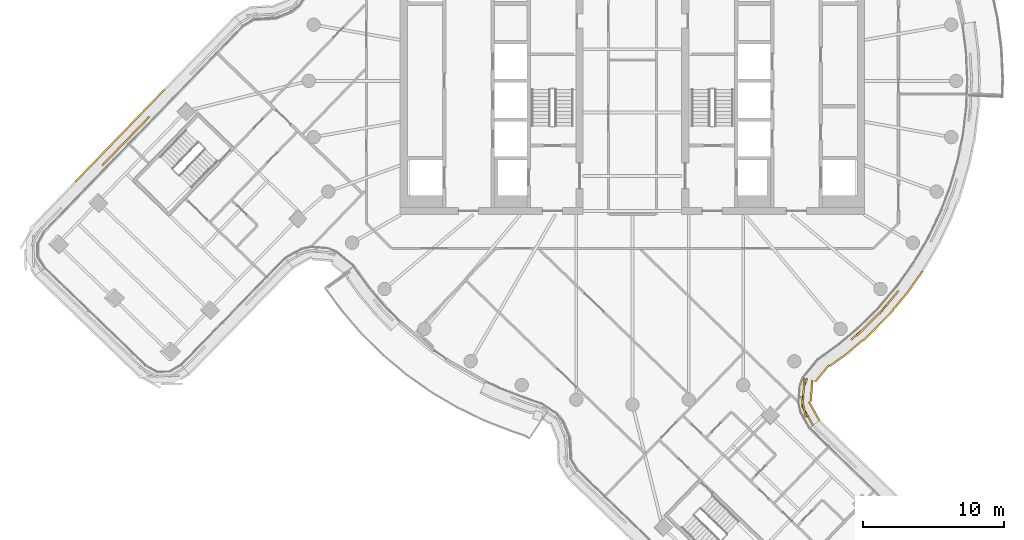
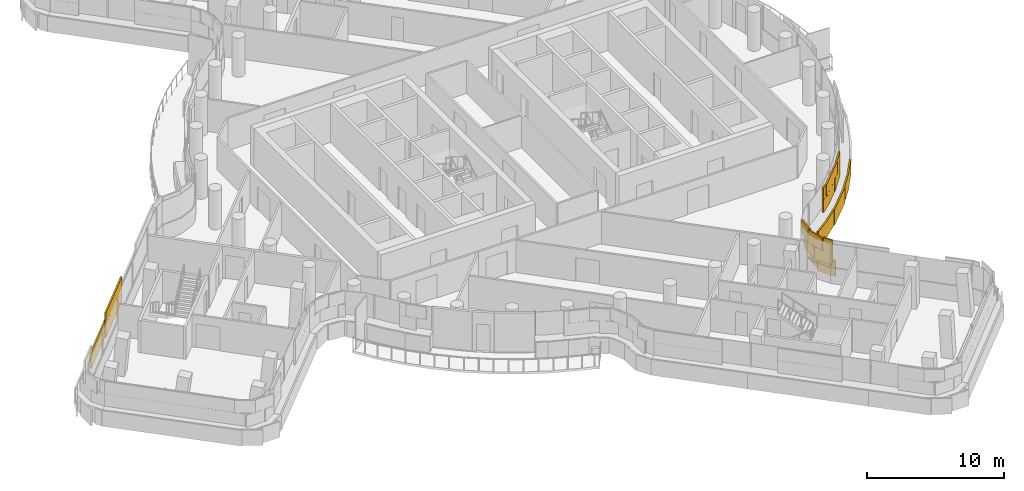
# One storey, part 26 of 31: 2 coverings.
"""IFC4 building model written with IfcOpenShell, lengths in metres."""

from ifc_helpers import new_model, si_unit, direction, frame, origin, origin_2d, place, context, subcontext, project, spatial, rectangle, extrude, material, layer, layer_set, type_object, element, save


model = new_model("IFC4")

# Units and contexts
model_context = context("Model", 3, precision=1e-05, world=origin(), true_north=direction((0.0, 1.0)))
body_context = subcontext(model_context, "Body", "Model", "MODEL_VIEW")
ifc_project = project(units=[si_unit("LENGTHUNIT", "METRE"), si_unit("AREAUNIT", "SQUARE_METRE"), si_unit("VOLUMEUNIT", "CUBIC_METRE"), si_unit("PLANEANGLEUNIT", "RADIAN"), si_unit("MASSUNIT", "GRAM", prefix="KILO")], contexts=[model_context])

# Site, building, storey
site_placement = place(None, origin())
site = spatial("IfcSite", under=ifc_project, at=site_placement, CompositionType="ELEMENT")
building_placement = place(site_placement, origin())
building = spatial("IfcBuilding", under=site, at=building_placement, Name="Tamarind Cross Interchange Tower", CompositionType="ELEMENT")
storey_placement = place(building_placement, frame((0.0, 0.0, 200.5)))
storey = spatial("IfcBuildingStorey", under=building, at=storey_placement, Name="L50", CompositionType="ELEMENT", Elevation=200.5)

# Coverings
ifc_material = material(Name="Terracotta", Category="masonry")
ifc_layer = layer(ifc_material, 0.1201171875)
ifc_layer_set = layer_set([ifc_layer], Name="Terracotta")
covering_type = type_object("IfcCoveringType", Name="Terracotta baguette screen unit", PredefinedType="MOLDING", material=ifc_layer_set)
covering_1_placement = place(storey_placement, origin())
element("IfcCovering", 1, at=covering_1_placement, inside=storey, type_object=covering_type, Name="SCR-L50-06-00", PredefinedType="MOLDING", context=body_context, shape_type="SweptSolid", body=[
    extrude(rectangle(XDim=1.510009765625, YDim=0.1201171875, at=origin_2d()), frame((12.459716796875, -23.82421875, 1.40380859375), z_axis=(0.0, 0.0, 1.0), x_axis=(-0.488322531759, 0.872663225406, 0.0)), (0.0, 0.0, 1.0), 1.092041015625),
    extrude(rectangle(XDim=1.52001953125, YDim=0.1201171875, at=origin_2d()), frame((12.127197265625, -22.4033203125, 1.40380859375), z_axis=(0.0, 0.0, 1.0), x_axis=(0.074130109387, 0.99724857828, 0.0)), (0.0, 0.0, 1.0), 1.092041015625),
    extrude(rectangle(XDim=0.551513671875, YDim=0.1201171875, at=origin_2d()), frame((12.304931640625, -21.408203125, 1.40380859375), z_axis=(0.0, 0.0, 1.0), x_axis=(0.358238508431, 0.93363010399, 0.0)), (0.0, 0.0, 1.0), 1.092041015625),
    extrude(rectangle(XDim=1.2685546875, YDim=0.1201171875, at=origin_2d()), frame((16.010009765625, -17.97412109375, 1.40380859375), z_axis=(0.0, 0.0, 1.0), x_axis=(0.760295606781, 0.64957723968, 0.0)), (0.0, 0.0, 1.0), 1.092041015625),
    extrude(rectangle(XDim=1.52001953125, YDim=0.1201171875, at=origin_2d()), frame((17.00927734375, -17.02490234375, 1.40380859375), z_axis=(0.0, 0.0, 1.0), x_axis=(0.704057148523, 0.710143317658, 0.0)), (0.0, 0.0, 1.0), 1.092041015625),
    extrude(rectangle(XDim=1.52001953125, YDim=0.1201171875, at=origin_2d()), frame((18.04150390625, -15.93798828125, 1.40380859375), z_axis=(0.0, 0.0, 1.0), x_axis=(0.643009266048, 0.765858396687, 0.0)), (0.0, 0.0, 1.0), 1.092041015625),
    extrude(rectangle(XDim=0.5849609375, YDim=0.1201171875, at=origin_2d()), frame((18.70849609375, -15.1435546875, 1.40380859375), z_axis=(0.0, 0.0, 1.0), x_axis=(0.643009266048, 0.765858396687, 0.0)), (0.0, 0.0, 1.0), 1.092041015625),
    extrude(rectangle(XDim=0.760009765625, YDim=0.1201171875, at=origin_2d()), frame((12.642822265625, -24.1513671875, 2.50390625), z_axis=(0.0, 0.0, 1.0), x_axis=(-0.488322531759, 0.872663225406, 0.0)), (0.0, 0.0, 1.0), 1.092041015625),
    extrude(rectangle(XDim=1.52001953125, YDim=0.1201171875, at=origin_2d()), frame((12.158447265625, -23.14501953125, 2.50390625), z_axis=(0.0, 0.0, 1.0), x_axis=(-0.216261920423, 0.976335383859, 0.0)), (0.0, 0.0, 1.0), 1.092041015625),
    extrude(rectangle(XDim=1.301513671875, YDim=0.1201171875, at=origin_2d()), frame((12.175048828125, -21.75927734375, 2.50390625), z_axis=(0.0, 0.0, 1.0), x_axis=(0.074130109387, 0.99724857828, 0.0)), (0.0, 0.0, 1.0), 1.092041015625),
    extrude(rectangle(XDim=0.5185546875, YDim=0.1201171875, at=origin_2d()), frame((15.724853515625, -18.2177734375, 2.50390625), z_axis=(0.0, 0.0, 1.0), x_axis=(0.760295606781, 0.64957723968, 0.0)), (0.0, 0.0, 1.0), 1.092041015625),
    extrude(rectangle(XDim=1.52001953125, YDim=0.1201171875, at=origin_2d()), frame((16.481201171875, -17.5576171875, 2.50390625), z_axis=(0.0, 0.0, 1.0), x_axis=(0.704057148523, 0.710143317658, 0.0)), (0.0, 0.0, 1.0), 1.092041015625),
    extrude(rectangle(XDim=1.52001953125, YDim=0.1201171875, at=origin_2d()), frame((17.537109375, -16.4921875, 2.50390625), z_axis=(0.0, 0.0, 1.0), x_axis=(0.704057148523, 0.710143317658, 0.0)), (0.0, 0.0, 1.0), 1.092041015625),
    extrude(rectangle(XDim=1.3349609375, YDim=0.1201171875, at=origin_2d()), frame((18.46728515625, -15.4306640625, 2.50390625), z_axis=(0.0, 0.0, 1.0), x_axis=(0.643009266048, 0.765858396687, 0.0)), (0.0, 0.0, 1.0), 1.092041015625),
    extrude(rectangle(XDim=1.510009765625, YDim=0.1201171875, at=origin_2d()), frame((12.91748046875, -23.466796875, 0.00390625), z_axis=(0.0, 0.0, 1.0), x_axis=(-0.488322531759, 0.872663225406, 0.0)), (0.0, 0.0, 1.0), 1.39208984375),
    extrude(rectangle(XDim=1.52001953125, YDim=0.1201171875, at=origin_2d()), frame((12.73095703125, -22.02587890625, 0.00390625), z_axis=(0.0, 0.0, 1.0), x_axis=(0.074130109387, 0.99724857828, 0.0)), (0.0, 0.0, 1.0), 1.39208984375),
    extrude(rectangle(XDim=1.52001953125, YDim=0.1201171875, at=origin_2d()), frame((13.494384765625, -20.7724609375, 0.00390625), z_axis=(0.0, 0.0, 1.0), x_axis=(0.63293370193, 0.774205999047, 0.0)), (0.0, 0.0, 1.0), 1.39208984375),
    extrude(rectangle(XDim=1.52001953125, YDim=0.1201171875, at=origin_2d()), frame((14.640625, -19.8203125, 0.00390625), z_axis=(0.0, 0.0, 1.0), x_axis=(0.811217394298, 0.584744678632, 0.0)), (0.0, 0.0, 1.0), 1.39208984375),
    extrude(rectangle(XDim=1.52001953125, YDim=0.1201171875, at=origin_2d()), frame((15.818115234375, -18.89306640625, 0.00390625), z_axis=(0.0, 0.0, 1.0), x_axis=(0.760295606781, 0.64957723968, 0.0)), (0.0, 0.0, 1.0), 1.39208984375),
    extrude(rectangle(XDim=1.52001953125, YDim=0.1201171875, at=origin_2d()), frame((16.9453125, -17.904541015625, 0.00390625), z_axis=(0.0, 0.0, 1.0), x_axis=(0.704057148523, 0.710143317658, 0.0)), (0.0, 0.0, 1.0), 1.39208984375),
    extrude(rectangle(XDim=1.52001953125, YDim=0.1201171875, at=origin_2d()), frame((18.00146484375, -16.83935546875, 0.00390625), z_axis=(0.0, 0.0, 1.0), x_axis=(0.704057148523, 0.710143317658, 0.0)), (0.0, 0.0, 1.0), 1.39208984375),
    extrude(rectangle(XDim=1.52001953125, YDim=0.1201171875, at=origin_2d()), frame((18.984619140625, -15.70751953125, 0.00390625), z_axis=(0.0, 0.0, 1.0), x_axis=(0.643009266048, 0.765858396687, 0.0)), (0.0, 0.0, 1.0), 1.39208984375),
    extrude(rectangle(XDim=1.52001953125, YDim=0.1201171875, at=origin_2d()), frame((19.906005859375, -14.525390625, 0.00390625), z_axis=(0.0, 0.0, 1.0), x_axis=(0.577568978284, 0.816341886298, 0.0)), (0.0, 0.0, 1.0), 1.39208984375),
    extrude(rectangle(XDim=0.46923828125, YDim=0.1201171875, at=origin_2d()), frame((20.46875, -13.729736328125, 0.00390625), z_axis=(0.0, 0.0, 1.0), x_axis=(0.577568978284, 0.816341886298, 0.0)), (0.0, 0.0, 1.0), 1.39208984375),
])
covering_2_placement = place(storey_placement, origin())
element("IfcCovering", 2, at=covering_2_placement, inside=storey, type_object=covering_type, Name="SCR-L50-11-01", PredefinedType="MOLDING", context=body_context, shape_type="SweptSolid", body=[
    extrude(rectangle(XDim=1.215087890625, YDim=0.1201171875, at=origin_2d()), frame((-34.742431640625, -2.980712890625, 1.40380859375), z_axis=(0.0, 0.0, 1.0), x_axis=(-0.695019862308, -0.718990536097, 0.0)), (0.0, 0.0, 1.0), 1.092041015625),
    extrude(rectangle(XDim=1.52001953125, YDim=0.1201171875, at=origin_2d()), frame((-35.682373046875, -3.953125, 1.40380859375), z_axis=(0.0, 0.0, 1.0), x_axis=(-0.695019862308, -0.718990536097, 0.0)), (0.0, 0.0, 1.0), 1.092041015625),
    extrude(rectangle(XDim=1.52001953125, YDim=0.1201171875, at=origin_2d()), frame((-36.72509765625, -5.03173828125, 1.40380859375), z_axis=(0.0, 0.0, 1.0), x_axis=(-0.695019862308, -0.718990536097, 0.0)), (0.0, 0.0, 1.0), 1.092041015625),
    extrude(rectangle(XDim=0.615234375, YDim=0.1201171875, at=origin_2d()), frame((-37.45654296875, -5.78857421875, 1.40380859375), z_axis=(0.0, 0.0, 1.0), x_axis=(-0.695019862308, -0.718990536097, 0.0)), (0.0, 0.0, 1.0), 1.092041015625),
    extrude(rectangle(XDim=0.465087890625, YDim=0.1201171875, at=origin_2d()), frame((-34.481689453125, -2.711181640625, 2.50390625), z_axis=(0.0, 0.0, 1.0), x_axis=(-0.695019862308, -0.718990536097, 0.0)), (0.0, 0.0, 1.0), 1.092041015625),
    extrude(rectangle(XDim=1.52001953125, YDim=0.1201171875, at=origin_2d()), frame((-35.1611328125, -3.4140625, 2.50390625), z_axis=(0.0, 0.0, 1.0), x_axis=(-0.695019862308, -0.718990536097, 0.0)), (0.0, 0.0, 1.0), 1.092041015625),
    extrude(rectangle(XDim=1.52001953125, YDim=0.1201171875, at=origin_2d()), frame((-36.20361328125, -4.492431640625, 2.50390625), z_axis=(0.0, 0.0, 1.0), x_axis=(-0.695019862308, -0.718990536097, 0.0)), (0.0, 0.0, 1.0), 1.092041015625),
    extrude(rectangle(XDim=1.365234375, YDim=0.1201171875, at=origin_2d()), frame((-37.19580078125, -5.518798828125, 2.50390625), z_axis=(0.0, 0.0, 1.0), x_axis=(-0.695019862308, -0.718990536097, 0.0)), (0.0, 0.0, 1.0), 1.092041015625),
    extrude(rectangle(XDim=0.2626953125, YDim=0.1201171875, at=origin_2d()), frame((-33.353759765625, -0.71826171875, 0.00390625), z_axis=(0.0, 0.0, 1.0), x_axis=(-0.695019862308, -0.718990536097, 0.0)), (0.0, 0.0, 1.0), 1.39208984375),
    extrude(rectangle(XDim=1.52001953125, YDim=0.1201171875, at=origin_2d()), frame((-33.95947265625, -1.344970703125, 0.00390625), z_axis=(0.0, 0.0, 1.0), x_axis=(-0.695019862308, -0.718990536097, 0.0)), (0.0, 0.0, 1.0), 1.39208984375),
    extrude(rectangle(XDim=1.52001953125, YDim=0.1201171875, at=origin_2d()), frame((-35.001953125, -2.42333984375, 0.00390625), z_axis=(0.0, 0.0, 1.0), x_axis=(-0.695019862308, -0.718990536097, 0.0)), (0.0, 0.0, 1.0), 1.39208984375),
    extrude(rectangle(XDim=1.52001953125, YDim=0.1201171875, at=origin_2d()), frame((-36.04443359375, -3.501708984375, 0.00390625), z_axis=(0.0, 0.0, 1.0), x_axis=(-0.695019862308, -0.718990536097, 0.0)), (0.0, 0.0, 1.0), 1.39208984375),
    extrude(rectangle(XDim=1.52001953125, YDim=0.1201171875, at=origin_2d()), frame((-37.0869140625, -4.580322265625, 0.00390625), z_axis=(0.0, 0.0, 1.0), x_axis=(-0.695019862308, -0.718990536097, 0.0)), (0.0, 0.0, 1.0), 1.39208984375),
    extrude(rectangle(XDim=1.52001953125, YDim=0.1201171875, at=origin_2d()), frame((-38.129638671875, -5.65869140625, 0.00390625), z_axis=(0.0, 0.0, 1.0), x_axis=(-0.695019862308, -0.718990536097, 0.0)), (0.0, 0.0, 1.0), 1.39208984375),
    extrude(rectangle(XDim=1.3330078125, YDim=0.1201171875, at=origin_2d()), frame((-39.107177734375, -6.670166015625, 0.00390625), z_axis=(0.0, 0.0, 1.0), x_axis=(-0.695019862308, -0.718990536097, 0.0)), (0.0, 0.0, 1.0), 1.39208984375),
])

save(model, "model.ifc")
